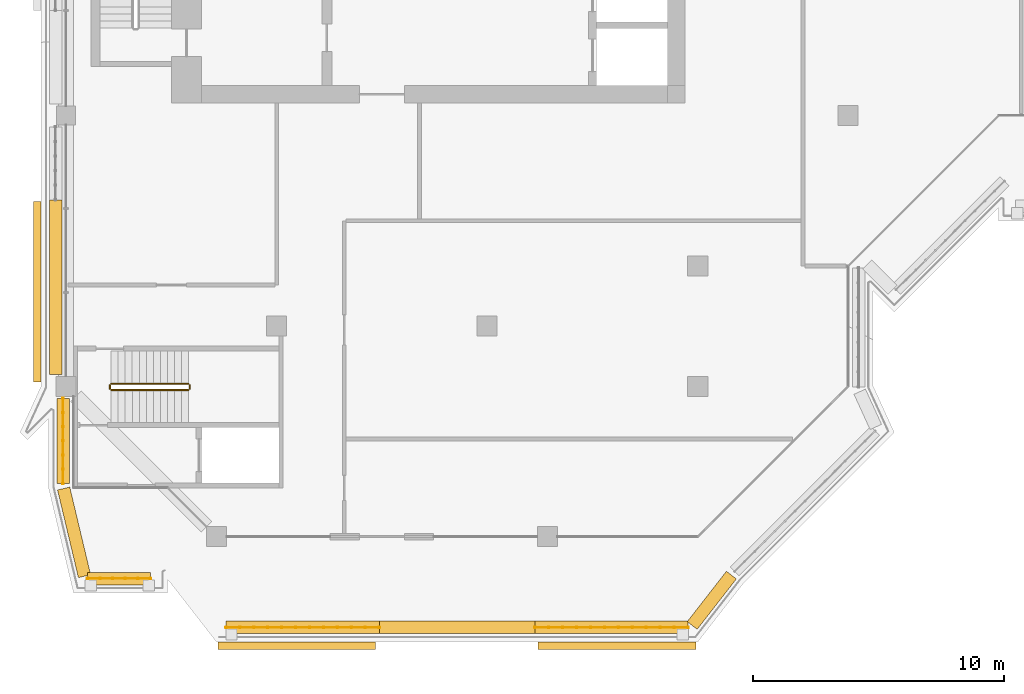
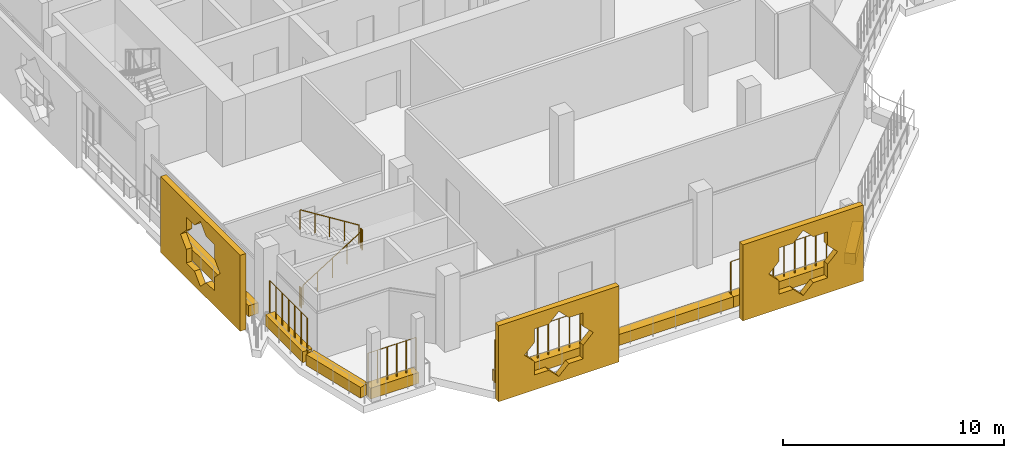
# One storey, part 15 of 21: 11 coverings, 8 railings.
"""IFC4 building model written with IfcOpenShell, lengths in metres."""

import ifcopenshell
import ifcopenshell.guid

model = None  # the IFC model being written
_history = None  # IfcOwnerHistory: only IFC2X3 demands one
_inside = {}  # id of a spatial element -> (the spatial element, [elements in it])
_under = {}  # id of a project, library or spatial element -> (it, [spatial elements below it])
_declared = {}  # id of a project -> (the project, [libraries it declares])
_typed = {}  # id of a type object -> (the type object, [elements of that type])
_made_of = {}  # id of a material, layer set ... -> (it, [elements and type objects made of it])


def new_model(schema):
    """Start an empty IFC model of exactly this schema.

    Asked for "IFC4X3", IfcOpenShell would pick the latest addendum, in which some entities
    have other attributes; the version numbers below select the first issue.
    IFC2X3 requires an IfcOwnerHistory on every rooted entity: one is made here for all.
    """
    global model, _history
    if schema == "IFC4X3":
        model = ifcopenshell.file(schema_version=(4, 3, 0, 0))
    else:
        model = ifcopenshell.file(schema=schema)
    _inside.clear()
    _under.clear()
    _declared.clear()
    _typed.clear()
    _made_of.clear()
    _history = None
    if model.schema == "IFC2X3":
        org = make("IfcOrganization", Name="unknown")
        user = make(
            "IfcPersonAndOrganization",
            ThePerson=make("IfcPerson", FamilyName="unknown"),
            TheOrganization=org,
        )
        app = make(
            "IfcApplication",
            ApplicationDeveloper=org,
            Version="unknown",
            ApplicationFullName="unknown",
            ApplicationIdentifier="unknown",
        )
        _history = make(
            "IfcOwnerHistory",
            OwningUser=user,
            OwningApplication=app,
            ChangeAction="ADDED",
            CreationDate=0,
        )
    return model


def make(cls, **values):
    """One entity of the class cls with the attributes given. An attribute that is None is left unset."""
    return model.create_entity(
        cls, **{name: value for name, value in values.items() if value is not None}
    )


def rooted(cls, **values):
    """An entity with a GlobalId (a new one), such as an element, a storey or a relation."""
    return make(cls, GlobalId=ifcopenshell.guid.new(), OwnerHistory=_history, **values)


def si_unit(unit_type, name, prefix=None):
    """IfcSIUnit, for example si_unit("LENGTHUNIT", "METRE", prefix="MILLI")."""
    return make("IfcSIUnit", UnitType=unit_type, Prefix=prefix, Name=name)


def assignment(units):
    """IfcUnitAssignment: the units of a project."""
    return None if units is None else make("IfcUnitAssignment", Units=units)


def point(xyz):
    """IfcCartesianPoint."""
    return None if xyz is None else make("IfcCartesianPoint", Coordinates=xyz)


def direction(xyz):
    """IfcDirection."""
    return None if xyz is None else make("IfcDirection", DirectionRatios=xyz)


def frame(location, z_axis=None, x_axis=None):
    """IfcAxis2Placement3D, a coordinate frame: its origin and axes. An axis left out is left unset."""
    return make(
        "IfcAxis2Placement3D",
        Location=point(location),
        Axis=direction(z_axis),
        RefDirection=direction(x_axis),
    )


def frame_2d(location, x_axis=None):
    """IfcAxis2Placement2D, a coordinate frame in the plane: its origin and x axis."""
    return make(
        "IfcAxis2Placement2D", Location=point(location), RefDirection=direction(x_axis)
    )


def origin():
    """The frame at (0, 0, 0) with its axes left unset."""
    return frame((0.0, 0.0, 0.0))


def origin_2d():
    """The frame at (0, 0) in the plane with its x axis left unset."""
    return frame_2d((0.0, 0.0))


def place(relative_to, where):
    """IfcLocalPlacement: puts the frame where relative to a parent placement (None: the world)."""
    return make(
        "IfcLocalPlacement", PlacementRelTo=relative_to, RelativePlacement=where
    )


def context(
    kind, dimensions, precision=None, world=None, true_north=None, identifier=None
):
    """IfcGeometricRepresentationContext, for example the 3D "Model" context."""
    return make(
        "IfcGeometricRepresentationContext",
        ContextIdentifier=identifier,
        ContextType=kind,
        CoordinateSpaceDimension=dimensions,
        Precision=precision,
        WorldCoordinateSystem=world,
        TrueNorth=true_north,
    )


def subcontext(parent, identifier, kind, view, scale=None):
    """IfcGeometricRepresentationSubContext, for example "Body" below "Model"."""
    return make(
        "IfcGeometricRepresentationSubContext",
        ContextIdentifier=identifier,
        ContextType=kind,
        ParentContext=parent,
        TargetScale=scale,
        TargetView=view,
    )


def project(units=None, contexts=None):
    """IfcProject with its units and contexts."""
    return rooted(
        "IfcProject",
        Name="project",
        RepresentationContexts=contexts,
        UnitsInContext=assignment(units),
    )


def spatial(cls, under=None, at=None, **own):
    """A site, building, storey or space (cls), placed at a placement, below another one or the project."""
    s = rooted(cls, ObjectPlacement=at, **own)
    if under is not None:
        _under.setdefault(under.id(), (under, []))[1].append(s)
    return s


def polyline(points):
    """IfcPolyline through the points."""
    return make("IfcPolyline", Points=[point(p) for p in points])


def profile(cls, at=None, kind="AREA", **sizes):
    """A parametric profile (cls). Its sizes go by their IFC names, for example OverallWidth=200.0."""
    return make(cls, ProfileType=kind, Position=at, **sizes)


def rectangle(**sizes):
    """IfcRectangleProfileDef."""
    return profile("IfcRectangleProfileDef", **sizes)


def circle(**sizes):
    """IfcCircleProfileDef."""
    return profile("IfcCircleProfileDef", **sizes)


def outline(outer, holes=None, kind="AREA"):
    """IfcArbitraryClosedProfileDef: a profile drawn as a closed curve; with holes, ...WithVoids."""
    if holes is None:
        return make("IfcArbitraryClosedProfileDef", ProfileType=kind, OuterCurve=outer)
    return make(
        "IfcArbitraryProfileDefWithVoids",
        ProfileType=kind,
        OuterCurve=outer,
        InnerCurves=holes,
    )


def extrude(swept, where, along, depth):
    """IfcExtrudedAreaSolid: the profile swept, set in the frame where, extruded along a direction by depth."""
    return make(
        "IfcExtrudedAreaSolid",
        SweptArea=swept,
        Position=where,
        ExtrudedDirection=direction(along),
        Depth=depth,
    )


def shape(context_of_items, identifier, shape_type, items):
    """IfcShapeRepresentation: the items that make up one representation, for example the "Body"."""
    return make(
        "IfcShapeRepresentation",
        ContextOfItems=context_of_items,
        RepresentationIdentifier=identifier,
        RepresentationType=shape_type,
        Items=items,
    )


def material(Name=None, Category=None):
    """IfcMaterial."""
    return make("IfcMaterial", Name=Name, Category=Category)


def material_profile(
    of_material, cross_section, Name=None, Category=None, Priority=None
):
    """IfcMaterialProfile: a cross section and its material."""
    return make(
        "IfcMaterialProfile",
        Name=Name,
        Material=of_material,
        Profile=cross_section,
        Priority=Priority,
        Category=Category,
    )


def profile_set(profiles, Name=None, composite=None):
    """IfcMaterialProfileSet."""
    return make(
        "IfcMaterialProfileSet",
        Name=Name,
        MaterialProfiles=profiles,
        CompositeProfile=composite,
    )


def made_of(thing, what):
    """Note that an element or type object is made of a material, layer set ...; save() writes the relation."""
    if what is not None:
        _made_of.setdefault(what.id(), (what, []))[1].append(thing)
    return thing


def type_object(cls, material=None, **own):
    """A type object (cls), such as IfcWallType, which elements share."""
    return made_of(rooted(cls, **own), material)


def element(
    cls,
    number,
    at=None,
    inside=None,
    cuts=None,
    type_object=None,
    material=None,
    context=None,
    identifier="Body",
    shape_type=None,
    held_by="IfcProductDefinitionShape",
    body=None,
    shapes=None,
    **own,
):
    """One element of the class cls, such as IfcWall. Its Tag is "e" and its number.

    at: its placement. inside: the storey or other place that contains it. cuts: it is an
    opening in that element (IfcRelVoidsElement). A single representation is given by context,
    identifier, shape_type and body (its items); several are given by shapes. held_by: the class
    of the entity that holds the representations. save() writes the other relations.
    """
    e = rooted(cls, Tag="e%d" % number, ObjectPlacement=at, **own)
    if body is not None:
        shapes = [shape(context, identifier, shape_type, body)]
    if shapes is not None:
        e.Representation = make(held_by, Representations=shapes)
    if inside is not None:
        _inside.setdefault(inside.id(), (inside, []))[1].append(e)
    if cuts is not None:
        rooted(
            "IfcRelVoidsElement", RelatingBuildingElement=cuts, RelatedOpeningElement=e
        )
    if type_object is not None:
        _typed.setdefault(type_object.id(), (type_object, []))[1].append(e)
    return made_of(e, material)


def aggregate(whole, parts):
    """IfcRelAggregates: a whole, such as a stair, and the parts it consists of."""
    return rooted("IfcRelAggregates", RelatingObject=whole, RelatedObjects=parts)


def save(model, path):
    """Write the relations noted so far, then the file.

    IfcRelAggregates (storeys below a building ...), IfcRelContainedInSpatialStructure (elements
    in a storey), IfcRelDefinesByType, IfcRelAssociatesMaterial and IfcRelDeclares: one each for
    every whole, place, type object, material and project.
    """
    for whole, parts in _under.values():
        aggregate(whole, parts)
    for where, things in _inside.values():
        rooted(
            "IfcRelContainedInSpatialStructure",
            RelatedElements=things,
            RelatingStructure=where,
        )
    for kind, things in _typed.values():
        rooted("IfcRelDefinesByType", RelatedObjects=things, RelatingType=kind)
    for what, things in _made_of.values():
        rooted("IfcRelAssociatesMaterial", RelatedObjects=things, RelatingMaterial=what)
    for by, libraries in _declared.values():
        rooted("IfcRelDeclares", RelatingContext=by, RelatedDefinitions=libraries)
    model.write(path)


model = new_model("IFC4")

# Units and contexts
model_context = context("Model", 3, precision=1e-05, world=origin(), true_north=direction((0.0, 1.0)))
body_context = subcontext(model_context, "Body", "Model", "MODEL_VIEW")
ifc_project = project(units=[si_unit("LENGTHUNIT", "METRE"), si_unit("AREAUNIT", "SQUARE_METRE"), si_unit("VOLUMEUNIT", "CUBIC_METRE"), si_unit("PLANEANGLEUNIT", "RADIAN"), si_unit("MASSUNIT", "GRAM", prefix="KILO")], contexts=[model_context])

# Site, building, storey
site_placement = place(None, origin())
site = spatial("IfcSite", under=ifc_project, at=site_placement, CompositionType="ELEMENT")
building_placement = place(site_placement, origin())
building = spatial("IfcBuilding", under=site, at=building_placement, Name="Kawkab Arch Medical Tower", CompositionType="ELEMENT")
storey_placement = place(building_placement, frame((0.0, 0.0, 302.800048828125)))
storey = spatial("IfcBuildingStorey", under=building, at=storey_placement, Name="L70", CompositionType="ELEMENT", Elevation=302.800048828125)

# Coverings
ifc_material_1 = material(Name="Bronze anodised aluminium mashrabiya panel, eight-point star pattern", Category="aluminium")
ifc_material_profile_1 = material_profile(ifc_material_1, outline(polyline([(-3.14990234375, -2.10009765625), (3.14990234375, -2.10009765625), (3.14990234375, 2.10009765625), (-3.14990234375, 2.10009765625), (-3.14990234375, -2.10009765625)]), holes=[polyline([(1.800048828125, 0.0), (1.272705078125, 0.527099609375), (1.272705078125, 1.272705078125), (0.527099609375, 1.272705078125), (0.0, 1.800048828125), (-0.527099609375, 1.272705078125), (-1.272705078125, 1.272705078125), (-1.272705078125, 0.527099609375), (-1.800048828125, 0.0), (-1.272705078125, -0.527099609375), (-1.272705078125, -1.272705078125), (-0.527099609375, -1.272705078125), (0.0, -1.800048828125), (0.527099609375, -1.272705078125), (1.272705078125, -1.272705078125), (1.272705078125, -0.527099609375), (1.800048828125, 0.0)])]), Name="Mashrabiya panel 6300x4200")
ifc_profile_set_1 = profile_set([ifc_material_profile_1], Name="Bronze anodised aluminium mashrabiya panel, eight-point star pattern")
covering_type_1 = type_object("IfcCoveringType", Name="Mashrabiya panel 6300 x 4200", PredefinedType="USERDEFINED", material=ifc_profile_set_1)
for number, where, z_axis, x_axis, name in (
    (1, (21.976806640625, -46.199951171875, 1.699951171875), (0.0, -1.0, 0.0), (1.0, 0.0, 0.0), "Mashrabiya panel L70.LOG-01-01.8"),
    (2, (9.203369140625, -46.199951171875, 1.699951171875), (0.0, -1.0, 0.0), (1.0, 0.0, 0.0), "Mashrabiya panel L70.LOG-01-01.9"),
):
    element("IfcCovering", number, at=place(storey_placement, frame(where, z_axis=z_axis, x_axis=x_axis)), inside=storey, type_object=covering_type_1, Name=name, ObjectType="SCREEN", PredefinedType="USERDEFINED", context=body_context, shape_type="SweptSolid", body=[
        extrude(outline(polyline([(-3.14990234375, -2.10009765625), (3.14990234375, -2.10009765625), (3.14990234375, 2.10009765625), (-3.14990234375, 2.10009765625), (-3.14990234375, -2.10009765625)]), holes=[polyline([(1.800048828125, 0.0), (1.272705078125, 0.527099609375), (1.272705078125, 1.272705078125), (0.527099609375, 1.272705078125), (0.0, 1.800048828125), (-0.527099609375, 1.272705078125), (-1.272705078125, 1.272705078125), (-1.272705078125, 0.527099609375), (-1.800048828125, 0.0), (-1.272705078125, -0.527099609375), (-1.272705078125, -1.272705078125), (-0.527099609375, -1.272705078125), (0.0, -1.800048828125), (0.527099609375, -1.272705078125), (1.272705078125, -1.272705078125), (1.272705078125, -0.527099609375), (1.800048828125, 0.0)])]), origin(), (0.0, 0.0, 1.0), 0.300048828125),
    ])
ifc_material_2 = material(Name="Bronze anodised aluminium mashrabiya panel, eight-point star pattern", Category="aluminium")
ifc_material_profile_2 = material_profile(ifc_material_2, outline(polyline([(-3.60009765625, -2.10009765625), (3.60009765625, -2.10009765625), (3.60009765625, 2.10009765625), (-3.60009765625, 2.10009765625), (-3.60009765625, -2.10009765625)]), holes=[polyline([(1.800048828125, 0.0), (1.272705078125, 0.527099609375), (1.272705078125, 1.272705078125), (0.527099609375, 1.272705078125), (0.0, 1.800048828125), (-0.527099609375, 1.272705078125), (-1.272705078125, 1.272705078125), (-1.272705078125, 0.527099609375), (-1.800048828125, 0.0), (-1.272705078125, -0.527099609375), (-1.272705078125, -1.272705078125), (-0.527099609375, -1.272705078125), (0.0, -1.800048828125), (0.527099609375, -1.272705078125), (1.272705078125, -1.272705078125), (1.272705078125, -0.527099609375), (1.800048828125, 0.0)])]), Name="Mashrabiya panel 7200x4200")
ifc_profile_set_2 = profile_set([ifc_material_profile_2], Name="Bronze anodised aluminium mashrabiya panel, eight-point star pattern")
covering_type_2 = type_object("IfcCoveringType", Name="Mashrabiya panel 7200 x 4200", PredefinedType="USERDEFINED", material=ifc_profile_set_2)
covering_1_placement = place(storey_placement, frame((-1.0, -32.231689453125, 1.699951171875), z_axis=(-1.0, 0.0, 0.0), x_axis=(0.0, -1.0, 0.0)))
element("IfcCovering", 3, at=covering_1_placement, inside=storey, type_object=covering_type_2, Name="Mashrabiya panel L70.LOG-01-01.1", ObjectType="SCREEN", PredefinedType="USERDEFINED", context=body_context, shape_type="SweptSolid", body=[
    extrude(outline(polyline([(-3.60009765625, -2.10009765625), (3.60009765625, -2.10009765625), (3.60009765625, 2.10009765625), (-3.60009765625, 2.10009765625), (-3.60009765625, -2.10009765625)]), holes=[polyline([(1.800048828125, 0.0), (1.272705078125, 0.527099609375), (1.272705078125, 1.272705078125), (0.527099609375, 1.272705078125), (0.0, 1.800048828125), (-0.527099609375, 1.272705078125), (-1.272705078125, 1.272705078125), (-1.272705078125, 0.527099609375), (-1.800048828125, 0.0), (-1.272705078125, -0.527099609375), (-1.272705078125, -1.272705078125), (-0.527099609375, -1.272705078125), (0.0, -1.800048828125), (0.527099609375, -1.272705078125), (1.272705078125, -1.272705078125), (1.272705078125, -0.527099609375), (1.800048828125, 0.0)])]), origin(), (0.0, 0.0, 1.0), 0.300048828125),
])
ifc_material_3 = material(Name="Planting soil in a precast trough", Category="concrete")
ifc_material_profile_3 = material_profile(ifc_material_3, rectangle(XDim=0.5, YDim=0.60009765625, at=origin_2d()), Name="Trough 500x600")
ifc_profile_set_3 = profile_set([ifc_material_profile_3], Name="Planting soil in a precast trough")
covering_type_3 = type_object("IfcCoveringType", Name="Planter trough 500 x 600", PredefinedType="USERDEFINED", material=ifc_profile_set_3)
covering_2_placement = place(storey_placement, frame((3.3701171875, -43.669921875, 0.300048828125), z_axis=(-1.0, 0.0, 0.0), x_axis=(0.0, -1.0, 0.0)))
element("IfcCovering", 4, at=covering_2_placement, inside=storey, type_object=covering_type_3, Name="Planter L70.LOG-01-01.1", ObjectType="PLANTER", PredefinedType="USERDEFINED", context=body_context, shape_type="SweptSolid", body=[
    extrude(rectangle(XDim=0.5, YDim=0.60009765625, at=origin_2d()), origin(), (0.0, 0.0, 1.0), 2.51220703125),
])
covering_3_placement = place(storey_placement, frame((0.735107421875, -43.572998046875, 0.300048828125), z_axis=(-0.231660349642, 0.972796732315, 0.0), x_axis=(-0.972796732315, -0.231660349642, 0.0)))
element("IfcCovering", 5, at=covering_3_placement, inside=storey, type_object=covering_type_3, Name="Planter L70.LOG-01-01.2", ObjectType="PLANTER", PredefinedType="USERDEFINED", context=body_context, shape_type="SweptSolid", body=[
    extrude(rectangle(XDim=0.5, YDim=0.60009765625, at=origin_2d()), origin(), (0.0, 0.0, 1.0), 3.591552734375),
])
covering_4_placement = place(storey_placement, frame((-0.1201171875, -39.882080078125, 0.300048828125), z_axis=(0.0, 1.0, 0.0), x_axis=(-1.0, 0.0, 0.0)))
element("IfcCovering", 6, at=covering_4_placement, inside=storey, type_object=covering_type_3, Name="Planter L70.LOG-01-01.3", ObjectType="PLANTER", PredefinedType="USERDEFINED", context=body_context, shape_type="SweptSolid", body=[
    extrude(rectangle(XDim=0.5, YDim=0.60009765625, at=origin_2d()), origin(), (0.0, 0.0, 1.0), 3.402099609375),
])
covering_5_placement = place(storey_placement, frame((-0.419921875, -35.52001953125, 0.300048828125), z_axis=(0.0, 1.0, 0.0), x_axis=(-1.0, 0.0, 0.0)))
element("IfcCovering", 7, at=covering_5_placement, inside=storey, type_object=covering_type_3, Name="Planter L70.LOG-01-01.4", ObjectType="PLANTER", PredefinedType="USERDEFINED", context=body_context, shape_type="SweptSolid", body=[
    extrude(rectangle(XDim=0.5, YDim=0.60009765625, at=origin_2d()), origin(), (0.0, 0.0, 1.0), 6.95703125),
])
covering_6_placement = place(storey_placement, frame((26.541015625, -43.531982421875, 0.300048828125), z_axis=(-0.61404021143, -0.789274742246, 0.0), x_axis=(0.789274742246, -0.61404021143, 0.0)))
element("IfcCovering", 8, at=covering_6_placement, inside=storey, type_object=covering_type_3, Name="Planter L70.LOG-01-01.34", ObjectType="PLANTER", PredefinedType="USERDEFINED", context=body_context, shape_type="SweptSolid", body=[
    extrude(rectangle(XDim=0.5, YDim=0.60009765625, at=origin_2d()), origin(), (0.0, 0.0, 1.0), 2.54541015625),
])
covering_7_placement = place(storey_placement, frame((24.81591796875, -45.6201171875, 0.300048828125), z_axis=(-1.0, 0.0, 0.0), x_axis=(0.0, -1.0, 0.0)))
element("IfcCovering", 9, at=covering_7_placement, inside=storey, type_object=covering_type_3, Name="Planter L70.LOG-01-01.35", ObjectType="PLANTER", PredefinedType="USERDEFINED", context=body_context, shape_type="SweptSolid", body=[
    extrude(rectangle(XDim=0.5, YDim=0.60009765625, at=origin_2d()), origin(), (0.0, 0.0, 1.0), 6.11083984375),
])
covering_8_placement = place(storey_placement, frame((18.705078125, -45.6201171875, 0.300048828125), z_axis=(-1.0, 0.0, 0.0), x_axis=(0.0, -1.0, 0.0)))
element("IfcCovering", 10, at=covering_8_placement, inside=storey, type_object=covering_type_3, Name="Planter L70.LOG-01-01.36", ObjectType="PLANTER", PredefinedType="USERDEFINED", context=body_context, shape_type="SweptSolid", body=[
    extrude(rectangle(XDim=0.5, YDim=0.60009765625, at=origin_2d()), origin(), (0.0, 0.0, 1.0), 6.2099609375),
])
covering_9_placement = place(storey_placement, frame((12.4951171875, -45.6201171875, 0.300048828125), z_axis=(-1.0, 0.0, 0.0), x_axis=(0.0, -1.0, 0.0)))
element("IfcCovering", 11, at=covering_9_placement, inside=storey, type_object=covering_type_3, Name="Planter L70.LOG-01-01.37", ObjectType="PLANTER", PredefinedType="USERDEFINED", context=body_context, shape_type="SweptSolid", body=[
    extrude(rectangle(XDim=0.5, YDim=0.60009765625, at=origin_2d()), origin(), (0.0, 0.0, 1.0), 6.111083984375),
])

# Railings
ifc_material_4 = material(Name="Bronze anodised aluminium trellis for climbing plants", Category="aluminium")
railing_type_1 = type_object("IfcRailingType", Name="Planting trellis 2400", PredefinedType="USERDEFINED", material=ifc_material_4)
railing_1_placement = place(storey_placement, frame((3.3701171875, -43.669921875, 0.0)))
element("IfcRailing", 12, at=railing_1_placement, inside=storey, type_object=railing_type_1, Name="Planting trellis L70.LOG-01-01.1", ObjectType="TRELLIS", PredefinedType="USERDEFINED", context=body_context, shape_type="SweptSolid", body=[
    extrude(circle(Radius=0.01513671875, at=origin_2d()), frame((0.0, 0.0, 2.384765625), z_axis=(-1.0, 0.0, 0.0), x_axis=(0.0, -1.0, 0.0)), (0.0, 0.0, 1.0), 2.51220703125),
    extrude(circle(Radius=0.030029296875, at=origin_2d()), origin(), (0.0, 0.0, 1.0), 2.369873046875),
    extrude(circle(Radius=0.030029296875, at=origin_2d()), frame((-0.50244140625, 0.0, 0.0)), (0.0, 0.0, 1.0), 2.369873046875),
    extrude(circle(Radius=0.030029296875, at=origin_2d()), frame((-1.0048828125, 0.0, 0.0)), (0.0, 0.0, 1.0), 2.369873046875),
    extrude(circle(Radius=0.030029296875, at=origin_2d()), frame((-1.50732421875, 0.0, 0.0)), (0.0, 0.0, 1.0), 2.369873046875),
    extrude(circle(Radius=0.030029296875, at=origin_2d()), frame((-2.009765625, 0.0, 0.0)), (0.0, 0.0, 1.0), 2.369873046875),
    extrude(circle(Radius=0.030029296875, at=origin_2d()), frame((-2.51220703125, 0.0, 0.0)), (0.0, 0.0, 1.0), 2.369873046875),
])
railing_2_placement = place(storey_placement, frame((-0.1201171875, -39.882080078125, 0.0)))
element("IfcRailing", 13, at=railing_2_placement, inside=storey, type_object=railing_type_1, Name="Planting trellis L70.LOG-01-01.3", ObjectType="TRELLIS", PredefinedType="USERDEFINED", context=body_context, shape_type="SweptSolid", body=[
    extrude(circle(Radius=0.01513671875, at=origin_2d()), frame((0.0, 0.0, 2.384765625), z_axis=(0.0, 1.0, 0.0), x_axis=(-1.0, 0.0, 0.0)), (0.0, 0.0, 1.0), 3.402099609375),
    extrude(circle(Radius=0.030029296875, at=origin_2d()), origin(), (0.0, 0.0, 1.0), 2.369873046875),
    extrude(circle(Radius=0.030029296875, at=origin_2d()), frame((0.0, 0.56689453125, 0.0)), (0.0, 0.0, 1.0), 2.369873046875),
    extrude(circle(Radius=0.030029296875, at=origin_2d()), frame((0.0, 1.134033203125, 0.0)), (0.0, 0.0, 1.0), 2.369873046875),
    extrude(circle(Radius=0.030029296875, at=origin_2d()), frame((0.0, 1.701171875, 0.0)), (0.0, 0.0, 1.0), 2.369873046875),
    extrude(circle(Radius=0.030029296875, at=origin_2d()), frame((0.0, 2.26806640625, 0.0)), (0.0, 0.0, 1.0), 2.369873046875),
    extrude(circle(Radius=0.030029296875, at=origin_2d()), frame((0.0, 2.8349609375, 0.0)), (0.0, 0.0, 1.0), 2.369873046875),
    extrude(circle(Radius=0.030029296875, at=origin_2d()), frame((0.0, 3.402099609375, 0.0)), (0.0, 0.0, 1.0), 2.369873046875),
])
railing_3_placement = place(storey_placement, frame((24.81591796875, -45.6201171875, 0.0)))
element("IfcRailing", 14, at=railing_3_placement, inside=storey, type_object=railing_type_1, Name="Planting trellis L70.LOG-01-01.35", ObjectType="TRELLIS", PredefinedType="USERDEFINED", context=body_context, shape_type="SweptSolid", body=[
    extrude(circle(Radius=0.01513671875, at=origin_2d()), frame((0.0, 0.0, 2.384765625), z_axis=(-1.0, 0.0, 0.0), x_axis=(0.0, -1.0, 0.0)), (0.0, 0.0, 1.0), 6.11083984375),
    extrude(circle(Radius=0.030029296875, at=origin_2d()), origin(), (0.0, 0.0, 1.0), 2.369873046875),
    extrude(circle(Radius=0.030029296875, at=origin_2d()), frame((-0.555419921875, 0.0, 0.0)), (0.0, 0.0, 1.0), 2.369873046875),
    extrude(circle(Radius=0.030029296875, at=origin_2d()), frame((-1.111083984375, 0.0, 0.0)), (0.0, 0.0, 1.0), 2.369873046875),
    extrude(circle(Radius=0.030029296875, at=origin_2d()), frame((-1.66650390625, 0.0, 0.0)), (0.0, 0.0, 1.0), 2.369873046875),
    extrude(circle(Radius=0.030029296875, at=origin_2d()), frame((-2.22216796875, 0.0, 0.0)), (0.0, 0.0, 1.0), 2.369873046875),
    extrude(circle(Radius=0.030029296875, at=origin_2d()), frame((-2.777587890625, 0.0, 0.0)), (0.0, 0.0, 1.0), 2.369873046875),
    extrude(circle(Radius=0.030029296875, at=origin_2d()), frame((-3.333251953125, 0.0, 0.0)), (0.0, 0.0, 1.0), 2.369873046875),
    extrude(circle(Radius=0.030029296875, at=origin_2d()), frame((-3.888671875, 0.0, 0.0)), (0.0, 0.0, 1.0), 2.369873046875),
    extrude(circle(Radius=0.030029296875, at=origin_2d()), frame((-4.4443359375, 0.0, 0.0)), (0.0, 0.0, 1.0), 2.369873046875),
    extrude(circle(Radius=0.030029296875, at=origin_2d()), frame((-4.999755859375, 0.0, 0.0)), (0.0, 0.0, 1.0), 2.369873046875),
    extrude(circle(Radius=0.030029296875, at=origin_2d()), frame((-5.555419921875, 0.0, 0.0)), (0.0, 0.0, 1.0), 2.369873046875),
    extrude(circle(Radius=0.030029296875, at=origin_2d()), frame((-6.11083984375, 0.0, 0.0)), (0.0, 0.0, 1.0), 2.369873046875),
])
railing_4_placement = place(storey_placement, frame((12.4951171875, -45.6201171875, 0.0)))
element("IfcRailing", 15, at=railing_4_placement, inside=storey, type_object=railing_type_1, Name="Planting trellis L70.LOG-01-01.37", ObjectType="TRELLIS", PredefinedType="USERDEFINED", context=body_context, shape_type="SweptSolid", body=[
    extrude(circle(Radius=0.01513671875, at=origin_2d()), frame((0.0, 0.0, 2.384765625), z_axis=(-1.0, 0.0, 0.0), x_axis=(0.0, -1.0, 0.0)), (0.0, 0.0, 1.0), 6.111083984375),
    extrude(circle(Radius=0.030029296875, at=origin_2d()), origin(), (0.0, 0.0, 1.0), 2.369873046875),
    extrude(circle(Radius=0.030029296875, at=origin_2d()), frame((-0.5556640625, 0.0, 0.0)), (0.0, 0.0, 1.0), 2.369873046875),
    extrude(circle(Radius=0.030029296875, at=origin_2d()), frame((-1.111083984375, 0.0, 0.0)), (0.0, 0.0, 1.0), 2.369873046875),
    extrude(circle(Radius=0.030029296875, at=origin_2d()), frame((-1.666748046875, 0.0, 0.0)), (0.0, 0.0, 1.0), 2.369873046875),
    extrude(circle(Radius=0.030029296875, at=origin_2d()), frame((-2.22216796875, 0.0, 0.0)), (0.0, 0.0, 1.0), 2.369873046875),
    extrude(circle(Radius=0.030029296875, at=origin_2d()), frame((-2.77783203125, 0.0, 0.0)), (0.0, 0.0, 1.0), 2.369873046875),
    extrude(circle(Radius=0.030029296875, at=origin_2d()), frame((-3.333251953125, 0.0, 0.0)), (0.0, 0.0, 1.0), 2.369873046875),
    extrude(circle(Radius=0.030029296875, at=origin_2d()), frame((-3.888916015625, 0.0, 0.0)), (0.0, 0.0, 1.0), 2.369873046875),
    extrude(circle(Radius=0.030029296875, at=origin_2d()), frame((-4.4443359375, 0.0, 0.0)), (0.0, 0.0, 1.0), 2.369873046875),
    extrude(circle(Radius=0.030029296875, at=origin_2d()), frame((-5.0, 0.0, 0.0)), (0.0, 0.0, 1.0), 2.369873046875),
    extrude(circle(Radius=0.030029296875, at=origin_2d()), frame((-5.555419921875, 0.0, 0.0)), (0.0, 0.0, 1.0), 2.369873046875),
    extrude(circle(Radius=0.030029296875, at=origin_2d()), frame((-6.111083984375, 0.0, 0.0)), (0.0, 0.0, 1.0), 2.369873046875),
])
ifc_material_5 = material(Name="Stainless steel", Category="steel")
railing_type_2 = type_object("IfcRailingType", Name="Stair guard 1100", PredefinedType="GUARDRAIL", material=ifc_material_5)
railing_5_placement = place(storey_placement, frame((1.800048828125, -36.14990234375, 0.175048828125)))
element("IfcRailing", 16, at=railing_5_placement, inside=storey, type_object=railing_type_2, Name="L70 ST6 stair guard 1", PredefinedType="GUARDRAIL", context=body_context, shape_type="SweptSolid", body=[
    extrude(circle(Radius=0.02392578125, at=origin_2d()), frame((0.0, 0.0, 1.076171875), z_axis=(0.848009633417, 0.0, 0.529980812513), x_axis=(0.0, 1.0, 0.0)), (0.0, 0.0, 1.0), 3.6318359375),
    extrude(circle(Radius=0.02099609375, at=origin_2d()), origin(), (0.0, 0.0, 1.0), 1.052001953125),
    extrude(circle(Radius=0.02099609375, at=origin_2d()), frame((0.77001953125, 0.0, 0.481201171875)), (0.0, 0.0, 1.0), 1.052001953125),
    extrude(circle(Radius=0.02099609375, at=origin_2d()), frame((1.5400390625, 0.0, 0.96240234375)), (0.0, 0.0, 1.0), 1.052001953125),
    extrude(circle(Radius=0.02099609375, at=origin_2d()), frame((2.309814453125, 0.0, 1.443603515625)), (0.0, 0.0, 1.0), 1.052001953125),
    extrude(circle(Radius=0.02099609375, at=origin_2d()), frame((3.079833984375, 0.0, 1.9248046875)), (0.0, 0.0, 1.0), 1.052001953125),
])
railing_6_placement = place(storey_placement, frame((4.929931640625, -36.10009765625, 2.099853515625)))
element("IfcRailing", 17, at=railing_6_placement, inside=storey, type_object=railing_type_2, Name="L70 ST6 stair guard 2", PredefinedType="GUARDRAIL", context=body_context, shape_type="SweptSolid", body=[
    extrude(circle(Radius=0.02392578125, at=origin_2d()), frame((0.0, 0.0, 1.076171875), z_axis=(0.0, 1.0, 0.0), x_axis=(-1.0, 0.0, 0.0)), (0.0, 0.0, 1.0), 0.150146484375),
    extrude(circle(Radius=0.02099609375, at=origin_2d()), origin(), (0.0, 0.0, 1.0), 1.052001953125),
    extrude(circle(Radius=0.02099609375, at=origin_2d()), frame((0.0, 0.150146484375, 0.0)), (0.0, 0.0, 1.0), 1.052001953125),
])
railing_7_placement = place(storey_placement, frame((4.8798828125, -35.89990234375, 2.27490234375)))
element("IfcRailing", 18, at=railing_7_placement, inside=storey, type_object=railing_type_2, Name="L70 ST6 stair guard 3", PredefinedType="GUARDRAIL", context=body_context, shape_type="SweptSolid", body=[
    extrude(circle(Radius=0.02392578125, at=origin_2d()), frame((0.0, 0.0, 1.076171875), z_axis=(-0.847979421464, 0.0, 0.530029150871), x_axis=(0.0, -1.0, 0.0)), (0.0, 0.0, 1.0), 3.632080078125),
    extrude(circle(Radius=0.02099609375, at=origin_2d()), origin(), (0.0, 0.0, 1.0), 1.052001953125),
    extrude(circle(Radius=0.02099609375, at=origin_2d()), frame((-0.77001953125, 0.0, 0.481201171875)), (0.0, 0.0, 1.0), 1.052001953125),
    extrude(circle(Radius=0.02099609375, at=origin_2d()), frame((-1.5400390625, 0.0, 0.96240234375)), (0.0, 0.0, 1.0), 1.052001953125),
    extrude(circle(Radius=0.02099609375, at=origin_2d()), frame((-2.309814453125, 0.0, 1.44384765625)), (0.0, 0.0, 1.0), 1.052001953125),
    extrude(circle(Radius=0.02099609375, at=origin_2d()), frame((-3.079833984375, 0.0, 1.925048828125)), (0.0, 0.0, 1.0), 1.052001953125),
])
railing_8_placement = place(storey_placement, frame((1.75, -36.10009765625, 0.0)))
element("IfcRailing", 19, at=railing_8_placement, inside=storey, type_object=railing_type_2, Name="L70 ST6 stair guard 4", PredefinedType="GUARDRAIL", context=body_context, shape_type="SweptSolid", body=[
    extrude(circle(Radius=0.02392578125, at=origin_2d()), frame((0.0, 0.0, 1.076171875), z_axis=(0.0, 1.0, 0.0), x_axis=(-1.0, 0.0, 0.0)), (0.0, 0.0, 1.0), 0.150146484375),
    extrude(circle(Radius=0.02099609375, at=origin_2d()), origin(), (0.0, 0.0, 1.0), 1.052001953125),
    extrude(circle(Radius=0.02099609375, at=origin_2d()), frame((0.0, 0.150146484375, 0.0)), (0.0, 0.0, 1.0), 1.052001953125),
])

save(model, "model.ifc")
